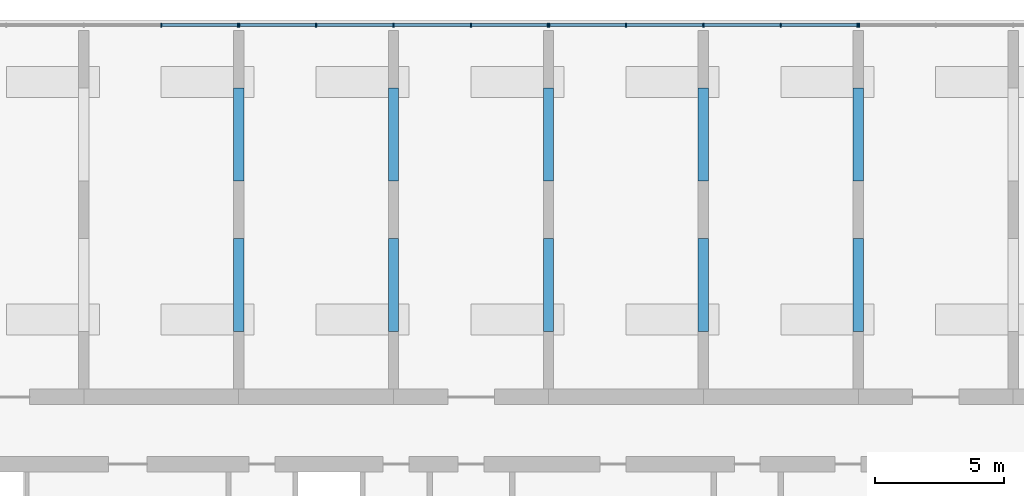
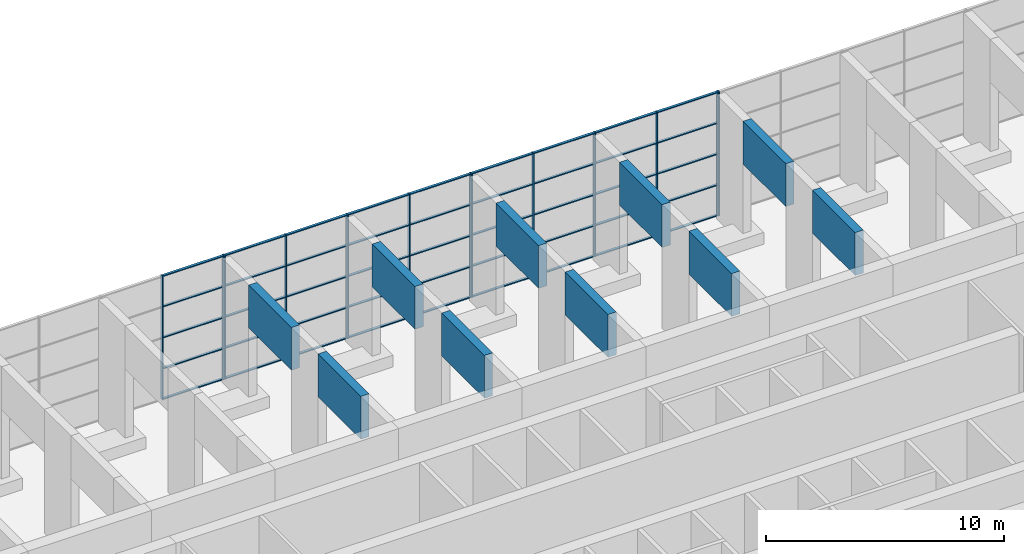
# One storey, part 2 of 15: 58 members, 10 beams, 4 elements without a shape of their own.
"""IFC4 building model written with IfcOpenShell, lengths in metres."""

import ifcopenshell
import ifcopenshell.guid

model = None  # the IFC model being written
_history = None  # IfcOwnerHistory: only IFC2X3 demands one
_inside = {}  # id of a spatial element -> (the spatial element, [elements in it])
_under = {}  # id of a project, library or spatial element -> (it, [spatial elements below it])
_declared = {}  # id of a project -> (the project, [libraries it declares])
_typed = {}  # id of a type object -> (the type object, [elements of that type])
_made_of = {}  # id of a material, layer set ... -> (it, [elements and type objects made of it])


def new_model(schema):
    """Start an empty IFC model of exactly this schema.

    Asked for "IFC4X3", IfcOpenShell would pick the latest addendum, in which some entities
    have other attributes; the version numbers below select the first issue.
    IFC2X3 requires an IfcOwnerHistory on every rooted entity: one is made here for all.
    """
    global model, _history
    if schema == "IFC4X3":
        model = ifcopenshell.file(schema_version=(4, 3, 0, 0))
    else:
        model = ifcopenshell.file(schema=schema)
    _inside.clear()
    _under.clear()
    _declared.clear()
    _typed.clear()
    _made_of.clear()
    _history = None
    if model.schema == "IFC2X3":
        org = make("IfcOrganization", Name="unknown")
        user = make(
            "IfcPersonAndOrganization",
            ThePerson=make("IfcPerson", FamilyName="unknown"),
            TheOrganization=org,
        )
        app = make(
            "IfcApplication",
            ApplicationDeveloper=org,
            Version="unknown",
            ApplicationFullName="unknown",
            ApplicationIdentifier="unknown",
        )
        _history = make(
            "IfcOwnerHistory",
            OwningUser=user,
            OwningApplication=app,
            ChangeAction="ADDED",
            CreationDate=0,
        )
    return model


def make(cls, **values):
    """One entity of the class cls with the attributes given. An attribute that is None is left unset."""
    return model.create_entity(
        cls, **{name: value for name, value in values.items() if value is not None}
    )


def rooted(cls, **values):
    """An entity with a GlobalId (a new one), such as an element, a storey or a relation."""
    return make(cls, GlobalId=ifcopenshell.guid.new(), OwnerHistory=_history, **values)


def si_unit(unit_type, name, prefix=None):
    """IfcSIUnit, for example si_unit("LENGTHUNIT", "METRE", prefix="MILLI")."""
    return make("IfcSIUnit", UnitType=unit_type, Prefix=prefix, Name=name)


def assignment(units):
    """IfcUnitAssignment: the units of a project."""
    return None if units is None else make("IfcUnitAssignment", Units=units)


def point(xyz):
    """IfcCartesianPoint."""
    return None if xyz is None else make("IfcCartesianPoint", Coordinates=xyz)


def direction(xyz):
    """IfcDirection."""
    return None if xyz is None else make("IfcDirection", DirectionRatios=xyz)


def frame(location, z_axis=None, x_axis=None):
    """IfcAxis2Placement3D, a coordinate frame: its origin and axes. An axis left out is left unset."""
    return make(
        "IfcAxis2Placement3D",
        Location=point(location),
        Axis=direction(z_axis),
        RefDirection=direction(x_axis),
    )


def frame_2d(location, x_axis=None):
    """IfcAxis2Placement2D, a coordinate frame in the plane: its origin and x axis."""
    return make(
        "IfcAxis2Placement2D", Location=point(location), RefDirection=direction(x_axis)
    )


def origin():
    """The frame at (0, 0, 0) with its axes left unset."""
    return frame((0.0, 0.0, 0.0))


def origin_2d():
    """The frame at (0, 0) in the plane with its x axis left unset."""
    return frame_2d((0.0, 0.0))


def place(relative_to, where):
    """IfcLocalPlacement: puts the frame where relative to a parent placement (None: the world)."""
    return make(
        "IfcLocalPlacement", PlacementRelTo=relative_to, RelativePlacement=where
    )


def context(
    kind, dimensions, precision=None, world=None, true_north=None, identifier=None
):
    """IfcGeometricRepresentationContext, for example the 3D "Model" context."""
    return make(
        "IfcGeometricRepresentationContext",
        ContextIdentifier=identifier,
        ContextType=kind,
        CoordinateSpaceDimension=dimensions,
        Precision=precision,
        WorldCoordinateSystem=world,
        TrueNorth=true_north,
    )


def subcontext(parent, identifier, kind, view, scale=None):
    """IfcGeometricRepresentationSubContext, for example "Body" below "Model"."""
    return make(
        "IfcGeometricRepresentationSubContext",
        ContextIdentifier=identifier,
        ContextType=kind,
        ParentContext=parent,
        TargetScale=scale,
        TargetView=view,
    )


def project(units=None, contexts=None):
    """IfcProject with its units and contexts."""
    return rooted(
        "IfcProject",
        Name="project",
        RepresentationContexts=contexts,
        UnitsInContext=assignment(units),
    )


def spatial(cls, under=None, at=None, **own):
    """A site, building, storey or space (cls), placed at a placement, below another one or the project."""
    s = rooted(cls, ObjectPlacement=at, **own)
    if under is not None:
        _under.setdefault(under.id(), (under, []))[1].append(s)
    return s


def profile(cls, at=None, kind="AREA", **sizes):
    """A parametric profile (cls). Its sizes go by their IFC names, for example OverallWidth=200.0."""
    return make(cls, ProfileType=kind, Position=at, **sizes)


def rectangle(**sizes):
    """IfcRectangleProfileDef."""
    return profile("IfcRectangleProfileDef", **sizes)


def extrude(swept, where, along, depth):
    """IfcExtrudedAreaSolid: the profile swept, set in the frame where, extruded along a direction by depth."""
    return make(
        "IfcExtrudedAreaSolid",
        SweptArea=swept,
        Position=where,
        ExtrudedDirection=direction(along),
        Depth=depth,
    )


def shape(context_of_items, identifier, shape_type, items):
    """IfcShapeRepresentation: the items that make up one representation, for example the "Body"."""
    return make(
        "IfcShapeRepresentation",
        ContextOfItems=context_of_items,
        RepresentationIdentifier=identifier,
        RepresentationType=shape_type,
        Items=items,
    )


def source(mapping_origin, context_of_items, identifier, shape_type, items):
    """IfcRepresentationMap: a shape defined once, which mapped items show again and again."""
    return make(
        "IfcRepresentationMap",
        MappingOrigin=mapping_origin,
        MappedRepresentation=shape(context_of_items, identifier, shape_type, items),
    )


def transform(
    local_origin,
    x_axis=None,
    y_axis=None,
    z_axis=None,
    scale=None,
    scale2=None,
    scale3=None,
    uniform=True,
):
    """IfcCartesianTransformationOperator3D, or its non-uniform kind. x_axis, y_axis, z_axis: its Axis1, 2, 3."""
    if uniform:
        return make(
            "IfcCartesianTransformationOperator3D",
            Axis1=direction(x_axis),
            Axis2=direction(y_axis),
            LocalOrigin=point(local_origin),
            Scale=scale,
            Axis3=direction(z_axis),
        )
    return make(
        "IfcCartesianTransformationOperator3DnonUniform",
        Axis1=direction(x_axis),
        Axis2=direction(y_axis),
        LocalOrigin=point(local_origin),
        Scale=scale,
        Axis3=direction(z_axis),
        Scale2=scale2,
        Scale3=scale3,
    )


def mapped(mapping_source, mapping_target):
    """IfcMappedItem: shows the shape of a source again, moved by a transform."""
    return make(
        "IfcMappedItem", MappingSource=mapping_source, MappingTarget=mapping_target
    )


def material(Name=None, Category=None):
    """IfcMaterial."""
    return make("IfcMaterial", Name=Name, Category=Category)


def layer(
    of_material, thickness, ventilated=None, Name=None, Category=None, Priority=None
):
    """IfcMaterialLayer: one layer of a wall or slab, of a material (None: an air gap)."""
    return make(
        "IfcMaterialLayer",
        Material=of_material,
        LayerThickness=thickness,
        IsVentilated=ventilated,
        Name=Name,
        Category=Category,
        Priority=Priority,
    )


def layer_set(layers, Name=None):
    """IfcMaterialLayerSet."""
    return make("IfcMaterialLayerSet", MaterialLayers=layers, LayerSetName=Name)


def material_profile(
    of_material, cross_section, Name=None, Category=None, Priority=None
):
    """IfcMaterialProfile: a cross section and its material."""
    return make(
        "IfcMaterialProfile",
        Name=Name,
        Material=of_material,
        Profile=cross_section,
        Priority=Priority,
        Category=Category,
    )


def profile_set(profiles, Name=None, composite=None):
    """IfcMaterialProfileSet."""
    return make(
        "IfcMaterialProfileSet",
        Name=Name,
        MaterialProfiles=profiles,
        CompositeProfile=composite,
    )


def made_of(thing, what):
    """Note that an element or type object is made of a material, layer set ...; save() writes the relation."""
    if what is not None:
        _made_of.setdefault(what.id(), (what, []))[1].append(thing)
    return thing


def type_object(cls, material=None, **own):
    """A type object (cls), such as IfcWallType, which elements share."""
    return made_of(rooted(cls, **own), material)


def element(
    cls,
    number,
    at=None,
    inside=None,
    cuts=None,
    type_object=None,
    material=None,
    context=None,
    identifier="Body",
    shape_type=None,
    held_by="IfcProductDefinitionShape",
    body=None,
    shapes=None,
    **own,
):
    """One element of the class cls, such as IfcWall. Its Tag is "e" and its number.

    at: its placement. inside: the storey or other place that contains it. cuts: it is an
    opening in that element (IfcRelVoidsElement). A single representation is given by context,
    identifier, shape_type and body (its items); several are given by shapes. held_by: the class
    of the entity that holds the representations. save() writes the other relations.
    """
    e = rooted(cls, Tag="e%d" % number, ObjectPlacement=at, **own)
    if body is not None:
        shapes = [shape(context, identifier, shape_type, body)]
    if shapes is not None:
        e.Representation = make(held_by, Representations=shapes)
    if inside is not None:
        _inside.setdefault(inside.id(), (inside, []))[1].append(e)
    if cuts is not None:
        rooted(
            "IfcRelVoidsElement", RelatingBuildingElement=cuts, RelatedOpeningElement=e
        )
    if type_object is not None:
        _typed.setdefault(type_object.id(), (type_object, []))[1].append(e)
    return made_of(e, material)


def aggregate(whole, parts):
    """IfcRelAggregates: a whole, such as a stair, and the parts it consists of."""
    return rooted("IfcRelAggregates", RelatingObject=whole, RelatedObjects=parts)


def save(model, path):
    """Write the relations noted so far, then the file.

    IfcRelAggregates (storeys below a building ...), IfcRelContainedInSpatialStructure (elements
    in a storey), IfcRelDefinesByType, IfcRelAssociatesMaterial and IfcRelDeclares: one each for
    every whole, place, type object, material and project.
    """
    for whole, parts in _under.values():
        aggregate(whole, parts)
    for where, things in _inside.values():
        rooted(
            "IfcRelContainedInSpatialStructure",
            RelatedElements=things,
            RelatingStructure=where,
        )
    for kind, things in _typed.values():
        rooted("IfcRelDefinesByType", RelatedObjects=things, RelatingType=kind)
    for what, things in _made_of.values():
        rooted("IfcRelAssociatesMaterial", RelatedObjects=things, RelatingMaterial=what)
    for by, libraries in _declared.values():
        rooted("IfcRelDeclares", RelatingContext=by, RelatedDefinitions=libraries)
    model.write(path)


model = new_model("IFC4")

# Units and contexts
model_context = context("Model", 3, precision=1e-05, world=origin(), true_north=direction((0.0, 1.0)))
body_context = subcontext(model_context, "Body", "Model", "MODEL_VIEW")
ifc_project = project(units=[si_unit("LENGTHUNIT", "METRE"), si_unit("AREAUNIT", "SQUARE_METRE"), si_unit("VOLUMEUNIT", "CUBIC_METRE"), si_unit("PLANEANGLEUNIT", "RADIAN"), si_unit("MASSUNIT", "GRAM", prefix="KILO")], contexts=[model_context])

# Site, building, storey
site_placement = place(None, origin())
site = spatial("IfcSite", under=ifc_project, at=site_placement, CompositionType="ELEMENT")
building_placement = place(site_placement, origin())
building = spatial("IfcBuilding", under=site, at=building_placement, Name="Poui Terraces", CompositionType="ELEMENT")
storey_placement = place(building_placement, frame((0.0, 0.0, 66.300048828125)))
storey = spatial("IfcBuildingStorey", under=building, at=storey_placement, Name="L18", CompositionType="ELEMENT", Elevation=66.300048828125)

# Curtain wall, members
ifc_material_1 = material(Name="Clear glass", Category="glass")
ifc_layer = layer(ifc_material_1, 0.159912109375)
ifc_layer_set = layer_set([ifc_layer], Name="Clear glass")
curtain_wall_type = type_object("IfcCurtainWallType", Name="CURTAIN WALL CW-D SKY GARDEN GLAZING", PredefinedType="NOTDEFINED", material=ifc_layer_set)
curtain_wall_1_placement = place(storey_placement, origin())
curtain_wall_1 = element("IfcCurtainWall", 1, at=curtain_wall_1_placement, inside=storey, type_object=curtain_wall_type, Name="CW-D SKY GARDEN GLAZING", PredefinedType="NOTDEFINED")
ifc_material_2 = material(Name="Aluminium frame", Category="aluminium")
ifc_material_profile_1 = material_profile(ifc_material_2, rectangle(XDim=0.159912109375, YDim=0.050048828125, at=origin_2d()), Name="CW-D MULLION 50X160")
ifc_profile_set_1 = profile_set([ifc_material_profile_1], Name="Aluminium frame")
member_type_1 = type_object("IfcMemberType", Name="CW-D MULLION 50X160", PredefinedType="MULLION", material=ifc_profile_set_1)
member_1_placement = place(storey_placement, frame((41.97509765625, 44.800048828125, 0.0), z_axis=(0.0, 0.0, 1.0), x_axis=(0.0, -1.0, 0.0)))
member_1 = element("IfcMember", 2, at=member_1_placement, type_object=member_type_1, Name="CW-D mullion 1", PredefinedType="MULLION", context=body_context, shape_type="SweptSolid", body=[
    extrude(rectangle(XDim=0.159912109375, YDim=0.050048828125, at=origin_2d()), origin(), (0.0, 0.0, 1.0), 6.35986328125),
])
member_2_placement = place(storey_placement, frame((39.0, 44.800048828125, 0.0), z_axis=(0.0, 0.0, 1.0), x_axis=(0.0, -1.0, 0.0)))
member_2 = element("IfcMember", 3, at=member_2_placement, type_object=member_type_1, Name="CW-D mullion 2", PredefinedType="MULLION", context=body_context, shape_type="SweptSolid", body=[
    extrude(rectangle(XDim=0.159912109375, YDim=0.050048828125, at=origin_2d()), origin(), (0.0, 0.0, 1.0), 6.35986328125),
])

curtain_wall_2_placement = place(storey_placement, origin())
curtain_wall_2 = element("IfcCurtainWall", 4, at=curtain_wall_2_placement, inside=storey, type_object=curtain_wall_type, Name="CW-D SKY GARDEN GLAZING", PredefinedType="NOTDEFINED")
member_3_placement = place(storey_placement, frame((53.97509765625, 44.800048828125, 0.0), z_axis=(0.0, 0.0, 1.0), x_axis=(0.0, -1.0, 0.0)))
member_3 = element("IfcMember", 5, at=member_3_placement, type_object=member_type_1, Name="CW-D mullion 1", PredefinedType="MULLION", context=body_context, shape_type="SweptSolid", body=[
    extrude(rectangle(XDim=0.159912109375, YDim=0.050048828125, at=origin_2d()), origin(), (0.0, 0.0, 1.0), 6.35986328125),
])
member_4_placement = place(storey_placement, frame((51.0, 44.800048828125, 0.0), z_axis=(0.0, 0.0, 1.0), x_axis=(0.0, -1.0, 0.0)))
member_4 = element("IfcMember", 6, at=member_4_placement, type_object=member_type_1, Name="CW-D mullion 2", PredefinedType="MULLION", context=body_context, shape_type="SweptSolid", body=[
    extrude(rectangle(XDim=0.159912109375, YDim=0.050048828125, at=origin_2d()), origin(), (0.0, 0.0, 1.0), 6.35986328125),
])
member_5_placement = place(storey_placement, frame((48.0, 44.800048828125, 0.0), z_axis=(0.0, 0.0, 1.0), x_axis=(0.0, -1.0, 0.0)))
member_5 = element("IfcMember", 7, at=member_5_placement, type_object=member_type_1, Name="CW-D mullion 3", PredefinedType="MULLION", context=body_context, shape_type="SweptSolid", body=[
    extrude(rectangle(XDim=0.159912109375, YDim=0.050048828125, at=origin_2d()), origin(), (0.0, 0.0, 1.0), 6.35986328125),
])
member_6_placement = place(storey_placement, frame((45.0, 44.800048828125, 0.0), z_axis=(0.0, 0.0, 1.0), x_axis=(0.0, -1.0, 0.0)))
member_6 = element("IfcMember", 8, at=member_6_placement, type_object=member_type_1, Name="CW-D mullion 4", PredefinedType="MULLION", context=body_context, shape_type="SweptSolid", body=[
    extrude(rectangle(XDim=0.159912109375, YDim=0.050048828125, at=origin_2d()), origin(), (0.0, 0.0, 1.0), 6.35986328125),
])
member_7_placement = place(storey_placement, frame((42.02490234375, 44.800048828125, 0.0), z_axis=(0.0, 0.0, 1.0), x_axis=(0.0, -1.0, 0.0)))
member_7 = element("IfcMember", 9, at=member_7_placement, type_object=member_type_1, Name="CW-D mullion 5", PredefinedType="MULLION", context=body_context, shape_type="SweptSolid", body=[
    extrude(rectangle(XDim=0.159912109375, YDim=0.050048828125, at=origin_2d()), origin(), (0.0, 0.0, 1.0), 6.35986328125),
])

curtain_wall_3_placement = place(storey_placement, origin())
curtain_wall_3 = element("IfcCurtainWall", 10, at=curtain_wall_3_placement, inside=storey, type_object=curtain_wall_type, Name="CW-D SKY GARDEN GLAZING", PredefinedType="NOTDEFINED")
member_8_placement = place(storey_placement, frame((65.97509765625, 44.800048828125, 0.0), z_axis=(0.0, 0.0, 1.0), x_axis=(0.0, -1.0, 0.0)))
member_8 = element("IfcMember", 11, at=member_8_placement, type_object=member_type_1, Name="CW-D mullion 1", PredefinedType="MULLION", context=body_context, shape_type="SweptSolid", body=[
    extrude(rectangle(XDim=0.159912109375, YDim=0.050048828125, at=origin_2d()), origin(), (0.0, 0.0, 1.0), 6.35986328125),
])
member_9_placement = place(storey_placement, frame((63.0, 44.800048828125, 0.0), z_axis=(0.0, 0.0, 1.0), x_axis=(0.0, -1.0, 0.0)))
member_9 = element("IfcMember", 12, at=member_9_placement, type_object=member_type_1, Name="CW-D mullion 2", PredefinedType="MULLION", context=body_context, shape_type="SweptSolid", body=[
    extrude(rectangle(XDim=0.159912109375, YDim=0.050048828125, at=origin_2d()), origin(), (0.0, 0.0, 1.0), 6.35986328125),
])
member_10_placement = place(storey_placement, frame((60.0, 44.800048828125, 0.0), z_axis=(0.0, 0.0, 1.0), x_axis=(0.0, -1.0, 0.0)))
member_10 = element("IfcMember", 13, at=member_10_placement, type_object=member_type_1, Name="CW-D mullion 3", PredefinedType="MULLION", context=body_context, shape_type="SweptSolid", body=[
    extrude(rectangle(XDim=0.159912109375, YDim=0.050048828125, at=origin_2d()), origin(), (0.0, 0.0, 1.0), 6.35986328125),
])
member_11_placement = place(storey_placement, frame((57.0, 44.800048828125, 0.0), z_axis=(0.0, 0.0, 1.0), x_axis=(0.0, -1.0, 0.0)))
member_11 = element("IfcMember", 14, at=member_11_placement, type_object=member_type_1, Name="CW-D mullion 4", PredefinedType="MULLION", context=body_context, shape_type="SweptSolid", body=[
    extrude(rectangle(XDim=0.159912109375, YDim=0.050048828125, at=origin_2d()), origin(), (0.0, 0.0, 1.0), 6.35986328125),
])
member_12_placement = place(storey_placement, frame((54.02490234375, 44.800048828125, 0.0), z_axis=(0.0, 0.0, 1.0), x_axis=(0.0, -1.0, 0.0)))
member_12 = element("IfcMember", 15, at=member_12_placement, type_object=member_type_1, Name="CW-D mullion 5", PredefinedType="MULLION", context=body_context, shape_type="SweptSolid", body=[
    extrude(rectangle(XDim=0.159912109375, YDim=0.050048828125, at=origin_2d()), origin(), (0.0, 0.0, 1.0), 6.35986328125),
])

# Curtain wall, member
curtain_wall_4_placement = place(storey_placement, origin())
curtain_wall_4 = element("IfcCurtainWall", 16, at=curtain_wall_4_placement, inside=storey, type_object=curtain_wall_type, Name="CW-D SKY GARDEN GLAZING", PredefinedType="NOTDEFINED")
member_13_placement = place(storey_placement, frame((66.02490234375, 44.800048828125, 0.0), z_axis=(0.0, 0.0, 1.0), x_axis=(0.0, -1.0, 0.0)))
member_13 = element("IfcMember", 17, at=member_13_placement, type_object=member_type_1, Name="CW-D mullion 5", PredefinedType="MULLION", context=body_context, shape_type="SweptSolid", body=[
    extrude(rectangle(XDim=0.159912109375, YDim=0.050048828125, at=origin_2d()), origin(), (0.0, 0.0, 1.0), 6.35986328125),
])
aggregate(curtain_wall_4, [member_13])

# Member
ifc_material_profile_2 = material_profile(ifc_material_2, rectangle(XDim=0.1201171875, YDim=0.050048828125, at=origin_2d()), Name="CW-D TRANSOM 50X120")
ifc_profile_set_2 = profile_set([ifc_material_profile_2], Name="Aluminium frame")
member_type_2 = type_object("IfcMemberType", Name="CW-D TRANSOM 50X120", PredefinedType="USERDEFINED", material=ifc_profile_set_2)
member_14_placement = place(storey_placement, frame((41.949951171875, 44.800048828125, 0.02490234375), z_axis=(-1.0, 0.0, 0.0), x_axis=(0.0, -1.0, 0.0)))
member_14 = element("IfcMember", 18, at=member_14_placement, type_object=member_type_2, Name="CW-D transom 1.1", ObjectType="TRANSOM", PredefinedType="USERDEFINED", context=body_context, shape_type="SweptSolid", body=[
    extrude(rectangle(XDim=0.1201171875, YDim=0.050048828125, at=origin_2d()), origin(), (0.0, 0.0, 1.0), 2.925048828125),
])

member_15_placement = place(storey_placement, frame((41.949951171875, 44.800048828125, 1.58984375), z_axis=(-1.0, 0.0, 0.0), x_axis=(0.0, -1.0, 0.0)))
member_15 = element("IfcMember", 19, at=member_15_placement, type_object=member_type_2, Name="CW-D transom 1.2", ObjectType="TRANSOM", PredefinedType="USERDEFINED", context=body_context, shape_type="SweptSolid", body=[
    extrude(rectangle(XDim=0.1201171875, YDim=0.050048828125, at=origin_2d()), origin(), (0.0, 0.0, 1.0), 2.925048828125),
])

member_16_placement = place(storey_placement, frame((41.949951171875, 44.800048828125, 3.179931640625), z_axis=(-1.0, 0.0, 0.0), x_axis=(0.0, -1.0, 0.0)))
member_16 = element("IfcMember", 20, at=member_16_placement, type_object=member_type_2, Name="CW-D transom 1.3", ObjectType="TRANSOM", PredefinedType="USERDEFINED", context=body_context, shape_type="SweptSolid", body=[
    extrude(rectangle(XDim=0.1201171875, YDim=0.050048828125, at=origin_2d()), origin(), (0.0, 0.0, 1.0), 2.925048828125),
])

member_17_placement = place(storey_placement, frame((41.949951171875, 44.800048828125, 4.77001953125), z_axis=(-1.0, 0.0, 0.0), x_axis=(0.0, -1.0, 0.0)))
member_17 = element("IfcMember", 21, at=member_17_placement, type_object=member_type_2, Name="CW-D transom 1.4", ObjectType="TRANSOM", PredefinedType="USERDEFINED", context=body_context, shape_type="SweptSolid", body=[
    extrude(rectangle(XDim=0.1201171875, YDim=0.050048828125, at=origin_2d()), origin(), (0.0, 0.0, 1.0), 2.925048828125),
])

member_18_placement = place(storey_placement, frame((41.949951171875, 44.800048828125, 6.3349609375), z_axis=(-1.0, 0.0, 0.0), x_axis=(0.0, -1.0, 0.0)))
member_18 = element("IfcMember", 22, at=member_18_placement, type_object=member_type_2, Name="CW-D transom 1.5", ObjectType="TRANSOM", PredefinedType="USERDEFINED", context=body_context, shape_type="SweptSolid", body=[
    extrude(rectangle(XDim=0.1201171875, YDim=0.050048828125, at=origin_2d()), origin(), (0.0, 0.0, 1.0), 2.925048828125),
])

aggregate(curtain_wall_1, [member_1, member_2, member_14, member_15, member_16, member_17, member_18])

member_19_placement = place(storey_placement, frame((53.949951171875, 44.800048828125, 0.02490234375), z_axis=(-1.0, 0.0, 0.0), x_axis=(0.0, -1.0, 0.0)))
member_19 = element("IfcMember", 23, at=member_19_placement, type_object=member_type_2, Name="CW-D transom 1.1", ObjectType="TRANSOM", PredefinedType="USERDEFINED", context=body_context, shape_type="SweptSolid", body=[
    extrude(rectangle(XDim=0.1201171875, YDim=0.050048828125, at=origin_2d()), origin(), (0.0, 0.0, 1.0), 2.925048828125),
])

member_20_placement = place(storey_placement, frame((53.949951171875, 44.800048828125, 1.58984375), z_axis=(-1.0, 0.0, 0.0), x_axis=(0.0, -1.0, 0.0)))
member_20 = element("IfcMember", 24, at=member_20_placement, type_object=member_type_2, Name="CW-D transom 1.2", ObjectType="TRANSOM", PredefinedType="USERDEFINED", context=body_context, shape_type="SweptSolid", body=[
    extrude(rectangle(XDim=0.1201171875, YDim=0.050048828125, at=origin_2d()), origin(), (0.0, 0.0, 1.0), 2.925048828125),
])

member_21_placement = place(storey_placement, frame((53.949951171875, 44.800048828125, 3.179931640625), z_axis=(-1.0, 0.0, 0.0), x_axis=(0.0, -1.0, 0.0)))
member_21 = element("IfcMember", 25, at=member_21_placement, type_object=member_type_2, Name="CW-D transom 1.3", ObjectType="TRANSOM", PredefinedType="USERDEFINED", context=body_context, shape_type="SweptSolid", body=[
    extrude(rectangle(XDim=0.1201171875, YDim=0.050048828125, at=origin_2d()), origin(), (0.0, 0.0, 1.0), 2.925048828125),
])

member_22_placement = place(storey_placement, frame((53.949951171875, 44.800048828125, 4.77001953125), z_axis=(-1.0, 0.0, 0.0), x_axis=(0.0, -1.0, 0.0)))
member_22 = element("IfcMember", 26, at=member_22_placement, type_object=member_type_2, Name="CW-D transom 1.4", ObjectType="TRANSOM", PredefinedType="USERDEFINED", context=body_context, shape_type="SweptSolid", body=[
    extrude(rectangle(XDim=0.1201171875, YDim=0.050048828125, at=origin_2d()), origin(), (0.0, 0.0, 1.0), 2.925048828125),
])

member_23_placement = place(storey_placement, frame((53.949951171875, 44.800048828125, 6.3349609375), z_axis=(-1.0, 0.0, 0.0), x_axis=(0.0, -1.0, 0.0)))
member_23 = element("IfcMember", 27, at=member_23_placement, type_object=member_type_2, Name="CW-D transom 1.5", ObjectType="TRANSOM", PredefinedType="USERDEFINED", context=body_context, shape_type="SweptSolid", body=[
    extrude(rectangle(XDim=0.1201171875, YDim=0.050048828125, at=origin_2d()), origin(), (0.0, 0.0, 1.0), 2.925048828125),
])

member_24_placement = place(storey_placement, frame((50.97509765625, 44.800048828125, 0.02490234375), z_axis=(-1.0, 0.0, 0.0), x_axis=(0.0, -1.0, 0.0)))
member_24 = element("IfcMember", 28, at=member_24_placement, type_object=member_type_2, Name="CW-D transom 2.1", ObjectType="TRANSOM", PredefinedType="USERDEFINED", context=body_context, shape_type="SweptSolid", body=[
    extrude(rectangle(XDim=0.1201171875, YDim=0.050048828125, at=origin_2d()), origin(), (0.0, 0.0, 1.0), 2.9501953125),
])

member_25_placement = place(storey_placement, frame((50.97509765625, 44.800048828125, 1.58984375), z_axis=(-1.0, 0.0, 0.0), x_axis=(0.0, -1.0, 0.0)))
member_25 = element("IfcMember", 29, at=member_25_placement, type_object=member_type_2, Name="CW-D transom 2.2", ObjectType="TRANSOM", PredefinedType="USERDEFINED", context=body_context, shape_type="SweptSolid", body=[
    extrude(rectangle(XDim=0.1201171875, YDim=0.050048828125, at=origin_2d()), origin(), (0.0, 0.0, 1.0), 2.9501953125),
])

member_26_placement = place(storey_placement, frame((50.97509765625, 44.800048828125, 3.179931640625), z_axis=(-1.0, 0.0, 0.0), x_axis=(0.0, -1.0, 0.0)))
member_26 = element("IfcMember", 30, at=member_26_placement, type_object=member_type_2, Name="CW-D transom 2.3", ObjectType="TRANSOM", PredefinedType="USERDEFINED", context=body_context, shape_type="SweptSolid", body=[
    extrude(rectangle(XDim=0.1201171875, YDim=0.050048828125, at=origin_2d()), origin(), (0.0, 0.0, 1.0), 2.9501953125),
])

member_27_placement = place(storey_placement, frame((50.97509765625, 44.800048828125, 4.77001953125), z_axis=(-1.0, 0.0, 0.0), x_axis=(0.0, -1.0, 0.0)))
member_27 = element("IfcMember", 31, at=member_27_placement, type_object=member_type_2, Name="CW-D transom 2.4", ObjectType="TRANSOM", PredefinedType="USERDEFINED", context=body_context, shape_type="SweptSolid", body=[
    extrude(rectangle(XDim=0.1201171875, YDim=0.050048828125, at=origin_2d()), origin(), (0.0, 0.0, 1.0), 2.9501953125),
])

member_28_placement = place(storey_placement, frame((50.97509765625, 44.800048828125, 6.3349609375), z_axis=(-1.0, 0.0, 0.0), x_axis=(0.0, -1.0, 0.0)))
member_28 = element("IfcMember", 32, at=member_28_placement, type_object=member_type_2, Name="CW-D transom 2.5", ObjectType="TRANSOM", PredefinedType="USERDEFINED", context=body_context, shape_type="SweptSolid", body=[
    extrude(rectangle(XDim=0.1201171875, YDim=0.050048828125, at=origin_2d()), origin(), (0.0, 0.0, 1.0), 2.9501953125),
])

member_29_placement = place(storey_placement, frame((47.97509765625, 44.800048828125, 0.02490234375), z_axis=(-1.0, 0.0, 0.0), x_axis=(0.0, -1.0, 0.0)))
member_29 = element("IfcMember", 33, at=member_29_placement, type_object=member_type_2, Name="CW-D transom 3.1", ObjectType="TRANSOM", PredefinedType="USERDEFINED", context=body_context, shape_type="SweptSolid", body=[
    extrude(rectangle(XDim=0.1201171875, YDim=0.050048828125, at=origin_2d()), origin(), (0.0, 0.0, 1.0), 2.9501953125),
])

member_30_placement = place(storey_placement, frame((47.97509765625, 44.800048828125, 1.58984375), z_axis=(-1.0, 0.0, 0.0), x_axis=(0.0, -1.0, 0.0)))
member_30 = element("IfcMember", 34, at=member_30_placement, type_object=member_type_2, Name="CW-D transom 3.2", ObjectType="TRANSOM", PredefinedType="USERDEFINED", context=body_context, shape_type="SweptSolid", body=[
    extrude(rectangle(XDim=0.1201171875, YDim=0.050048828125, at=origin_2d()), origin(), (0.0, 0.0, 1.0), 2.9501953125),
])

member_31_placement = place(storey_placement, frame((47.97509765625, 44.800048828125, 3.179931640625), z_axis=(-1.0, 0.0, 0.0), x_axis=(0.0, -1.0, 0.0)))
member_31 = element("IfcMember", 35, at=member_31_placement, type_object=member_type_2, Name="CW-D transom 3.3", ObjectType="TRANSOM", PredefinedType="USERDEFINED", context=body_context, shape_type="SweptSolid", body=[
    extrude(rectangle(XDim=0.1201171875, YDim=0.050048828125, at=origin_2d()), origin(), (0.0, 0.0, 1.0), 2.9501953125),
])

member_32_placement = place(storey_placement, frame((47.97509765625, 44.800048828125, 4.77001953125), z_axis=(-1.0, 0.0, 0.0), x_axis=(0.0, -1.0, 0.0)))
member_32 = element("IfcMember", 36, at=member_32_placement, type_object=member_type_2, Name="CW-D transom 3.4", ObjectType="TRANSOM", PredefinedType="USERDEFINED", context=body_context, shape_type="SweptSolid", body=[
    extrude(rectangle(XDim=0.1201171875, YDim=0.050048828125, at=origin_2d()), origin(), (0.0, 0.0, 1.0), 2.9501953125),
])

member_33_placement = place(storey_placement, frame((47.97509765625, 44.800048828125, 6.3349609375), z_axis=(-1.0, 0.0, 0.0), x_axis=(0.0, -1.0, 0.0)))
member_33 = element("IfcMember", 37, at=member_33_placement, type_object=member_type_2, Name="CW-D transom 3.5", ObjectType="TRANSOM", PredefinedType="USERDEFINED", context=body_context, shape_type="SweptSolid", body=[
    extrude(rectangle(XDim=0.1201171875, YDim=0.050048828125, at=origin_2d()), origin(), (0.0, 0.0, 1.0), 2.9501953125),
])

member_34_placement = place(storey_placement, frame((44.97509765625, 44.800048828125, 0.02490234375), z_axis=(-1.0, 0.0, 0.0), x_axis=(0.0, -1.0, 0.0)))
member_34 = element("IfcMember", 38, at=member_34_placement, type_object=member_type_2, Name="CW-D transom 4.1", ObjectType="TRANSOM", PredefinedType="USERDEFINED", context=body_context, shape_type="SweptSolid", body=[
    extrude(rectangle(XDim=0.1201171875, YDim=0.050048828125, at=origin_2d()), origin(), (0.0, 0.0, 1.0), 2.925048828125),
])

member_35_placement = place(storey_placement, frame((44.97509765625, 44.800048828125, 1.58984375), z_axis=(-1.0, 0.0, 0.0), x_axis=(0.0, -1.0, 0.0)))
member_35 = element("IfcMember", 39, at=member_35_placement, type_object=member_type_2, Name="CW-D transom 4.2", ObjectType="TRANSOM", PredefinedType="USERDEFINED", context=body_context, shape_type="SweptSolid", body=[
    extrude(rectangle(XDim=0.1201171875, YDim=0.050048828125, at=origin_2d()), origin(), (0.0, 0.0, 1.0), 2.925048828125),
])

member_36_placement = place(storey_placement, frame((44.97509765625, 44.800048828125, 3.179931640625), z_axis=(-1.0, 0.0, 0.0), x_axis=(0.0, -1.0, 0.0)))
member_36 = element("IfcMember", 40, at=member_36_placement, type_object=member_type_2, Name="CW-D transom 4.3", ObjectType="TRANSOM", PredefinedType="USERDEFINED", context=body_context, shape_type="SweptSolid", body=[
    extrude(rectangle(XDim=0.1201171875, YDim=0.050048828125, at=origin_2d()), origin(), (0.0, 0.0, 1.0), 2.925048828125),
])

member_37_placement = place(storey_placement, frame((44.97509765625, 44.800048828125, 4.77001953125), z_axis=(-1.0, 0.0, 0.0), x_axis=(0.0, -1.0, 0.0)))
member_37 = element("IfcMember", 41, at=member_37_placement, type_object=member_type_2, Name="CW-D transom 4.4", ObjectType="TRANSOM", PredefinedType="USERDEFINED", context=body_context, shape_type="SweptSolid", body=[
    extrude(rectangle(XDim=0.1201171875, YDim=0.050048828125, at=origin_2d()), origin(), (0.0, 0.0, 1.0), 2.925048828125),
])

member_38_placement = place(storey_placement, frame((44.97509765625, 44.800048828125, 6.3349609375), z_axis=(-1.0, 0.0, 0.0), x_axis=(0.0, -1.0, 0.0)))
member_38 = element("IfcMember", 42, at=member_38_placement, type_object=member_type_2, Name="CW-D transom 4.5", ObjectType="TRANSOM", PredefinedType="USERDEFINED", context=body_context, shape_type="SweptSolid", body=[
    extrude(rectangle(XDim=0.1201171875, YDim=0.050048828125, at=origin_2d()), origin(), (0.0, 0.0, 1.0), 2.925048828125),
])

aggregate(curtain_wall_2, [member_3, member_4, member_5, member_6, member_7, member_19, member_20, member_21, member_22, member_23, member_24, member_25, member_26, member_27, member_28, member_29, member_30, member_31, member_32, member_33, member_34, member_35, member_36, member_37, member_38])

member_39_placement = place(storey_placement, frame((65.949951171875, 44.800048828125, 0.02490234375), z_axis=(-1.0, 0.0, 0.0), x_axis=(0.0, -1.0, 0.0)))
member_39 = element("IfcMember", 43, at=member_39_placement, type_object=member_type_2, Name="CW-D transom 1.1", ObjectType="TRANSOM", PredefinedType="USERDEFINED", context=body_context, shape_type="SweptSolid", body=[
    extrude(rectangle(XDim=0.1201171875, YDim=0.050048828125, at=origin_2d()), origin(), (0.0, 0.0, 1.0), 2.925048828125),
])

member_40_placement = place(storey_placement, frame((65.949951171875, 44.800048828125, 1.58984375), z_axis=(-1.0, 0.0, 0.0), x_axis=(0.0, -1.0, 0.0)))
member_40 = element("IfcMember", 44, at=member_40_placement, type_object=member_type_2, Name="CW-D transom 1.2", ObjectType="TRANSOM", PredefinedType="USERDEFINED", context=body_context, shape_type="SweptSolid", body=[
    extrude(rectangle(XDim=0.1201171875, YDim=0.050048828125, at=origin_2d()), origin(), (0.0, 0.0, 1.0), 2.925048828125),
])

member_41_placement = place(storey_placement, frame((65.949951171875, 44.800048828125, 3.179931640625), z_axis=(-1.0, 0.0, 0.0), x_axis=(0.0, -1.0, 0.0)))
member_41 = element("IfcMember", 45, at=member_41_placement, type_object=member_type_2, Name="CW-D transom 1.3", ObjectType="TRANSOM", PredefinedType="USERDEFINED", context=body_context, shape_type="SweptSolid", body=[
    extrude(rectangle(XDim=0.1201171875, YDim=0.050048828125, at=origin_2d()), origin(), (0.0, 0.0, 1.0), 2.925048828125),
])

member_42_placement = place(storey_placement, frame((65.949951171875, 44.800048828125, 4.77001953125), z_axis=(-1.0, 0.0, 0.0), x_axis=(0.0, -1.0, 0.0)))
member_42 = element("IfcMember", 46, at=member_42_placement, type_object=member_type_2, Name="CW-D transom 1.4", ObjectType="TRANSOM", PredefinedType="USERDEFINED", context=body_context, shape_type="SweptSolid", body=[
    extrude(rectangle(XDim=0.1201171875, YDim=0.050048828125, at=origin_2d()), origin(), (0.0, 0.0, 1.0), 2.925048828125),
])

member_43_placement = place(storey_placement, frame((65.949951171875, 44.800048828125, 6.3349609375), z_axis=(-1.0, 0.0, 0.0), x_axis=(0.0, -1.0, 0.0)))
member_43 = element("IfcMember", 47, at=member_43_placement, type_object=member_type_2, Name="CW-D transom 1.5", ObjectType="TRANSOM", PredefinedType="USERDEFINED", context=body_context, shape_type="SweptSolid", body=[
    extrude(rectangle(XDim=0.1201171875, YDim=0.050048828125, at=origin_2d()), origin(), (0.0, 0.0, 1.0), 2.925048828125),
])

member_44_placement = place(storey_placement, frame((62.97509765625, 44.800048828125, 0.02490234375), z_axis=(-1.0, 0.0, 0.0), x_axis=(0.0, -1.0, 0.0)))
member_44 = element("IfcMember", 48, at=member_44_placement, type_object=member_type_2, Name="CW-D transom 2.1", ObjectType="TRANSOM", PredefinedType="USERDEFINED", context=body_context, shape_type="SweptSolid", body=[
    extrude(rectangle(XDim=0.1201171875, YDim=0.050048828125, at=origin_2d()), origin(), (0.0, 0.0, 1.0), 2.9501953125),
])

member_45_placement = place(storey_placement, frame((62.97509765625, 44.800048828125, 1.58984375), z_axis=(-1.0, 0.0, 0.0), x_axis=(0.0, -1.0, 0.0)))
member_45 = element("IfcMember", 49, at=member_45_placement, type_object=member_type_2, Name="CW-D transom 2.2", ObjectType="TRANSOM", PredefinedType="USERDEFINED", context=body_context, shape_type="SweptSolid", body=[
    extrude(rectangle(XDim=0.1201171875, YDim=0.050048828125, at=origin_2d()), origin(), (0.0, 0.0, 1.0), 2.9501953125),
])

member_46_placement = place(storey_placement, frame((62.97509765625, 44.800048828125, 3.179931640625), z_axis=(-1.0, 0.0, 0.0), x_axis=(0.0, -1.0, 0.0)))
member_46 = element("IfcMember", 50, at=member_46_placement, type_object=member_type_2, Name="CW-D transom 2.3", ObjectType="TRANSOM", PredefinedType="USERDEFINED", context=body_context, shape_type="SweptSolid", body=[
    extrude(rectangle(XDim=0.1201171875, YDim=0.050048828125, at=origin_2d()), origin(), (0.0, 0.0, 1.0), 2.9501953125),
])

member_47_placement = place(storey_placement, frame((62.97509765625, 44.800048828125, 4.77001953125), z_axis=(-1.0, 0.0, 0.0), x_axis=(0.0, -1.0, 0.0)))
member_47 = element("IfcMember", 51, at=member_47_placement, type_object=member_type_2, Name="CW-D transom 2.4", ObjectType="TRANSOM", PredefinedType="USERDEFINED", context=body_context, shape_type="SweptSolid", body=[
    extrude(rectangle(XDim=0.1201171875, YDim=0.050048828125, at=origin_2d()), origin(), (0.0, 0.0, 1.0), 2.9501953125),
])

member_48_placement = place(storey_placement, frame((62.97509765625, 44.800048828125, 6.3349609375), z_axis=(-1.0, 0.0, 0.0), x_axis=(0.0, -1.0, 0.0)))
member_48 = element("IfcMember", 52, at=member_48_placement, type_object=member_type_2, Name="CW-D transom 2.5", ObjectType="TRANSOM", PredefinedType="USERDEFINED", context=body_context, shape_type="SweptSolid", body=[
    extrude(rectangle(XDim=0.1201171875, YDim=0.050048828125, at=origin_2d()), origin(), (0.0, 0.0, 1.0), 2.9501953125),
])

member_49_placement = place(storey_placement, frame((59.97509765625, 44.800048828125, 0.02490234375), z_axis=(-1.0, 0.0, 0.0), x_axis=(0.0, -1.0, 0.0)))
member_49 = element("IfcMember", 53, at=member_49_placement, type_object=member_type_2, Name="CW-D transom 3.1", ObjectType="TRANSOM", PredefinedType="USERDEFINED", context=body_context, shape_type="SweptSolid", body=[
    extrude(rectangle(XDim=0.1201171875, YDim=0.050048828125, at=origin_2d()), origin(), (0.0, 0.0, 1.0), 2.9501953125),
])

member_50_placement = place(storey_placement, frame((59.97509765625, 44.800048828125, 1.58984375), z_axis=(-1.0, 0.0, 0.0), x_axis=(0.0, -1.0, 0.0)))
member_50 = element("IfcMember", 54, at=member_50_placement, type_object=member_type_2, Name="CW-D transom 3.2", ObjectType="TRANSOM", PredefinedType="USERDEFINED", context=body_context, shape_type="SweptSolid", body=[
    extrude(rectangle(XDim=0.1201171875, YDim=0.050048828125, at=origin_2d()), origin(), (0.0, 0.0, 1.0), 2.9501953125),
])

member_51_placement = place(storey_placement, frame((59.97509765625, 44.800048828125, 3.179931640625), z_axis=(-1.0, 0.0, 0.0), x_axis=(0.0, -1.0, 0.0)))
member_51 = element("IfcMember", 55, at=member_51_placement, type_object=member_type_2, Name="CW-D transom 3.3", ObjectType="TRANSOM", PredefinedType="USERDEFINED", context=body_context, shape_type="SweptSolid", body=[
    extrude(rectangle(XDim=0.1201171875, YDim=0.050048828125, at=origin_2d()), origin(), (0.0, 0.0, 1.0), 2.9501953125),
])

member_52_placement = place(storey_placement, frame((59.97509765625, 44.800048828125, 4.77001953125), z_axis=(-1.0, 0.0, 0.0), x_axis=(0.0, -1.0, 0.0)))
member_52 = element("IfcMember", 56, at=member_52_placement, type_object=member_type_2, Name="CW-D transom 3.4", ObjectType="TRANSOM", PredefinedType="USERDEFINED", context=body_context, shape_type="SweptSolid", body=[
    extrude(rectangle(XDim=0.1201171875, YDim=0.050048828125, at=origin_2d()), origin(), (0.0, 0.0, 1.0), 2.9501953125),
])

member_53_placement = place(storey_placement, frame((59.97509765625, 44.800048828125, 6.3349609375), z_axis=(-1.0, 0.0, 0.0), x_axis=(0.0, -1.0, 0.0)))
member_53 = element("IfcMember", 57, at=member_53_placement, type_object=member_type_2, Name="CW-D transom 3.5", ObjectType="TRANSOM", PredefinedType="USERDEFINED", context=body_context, shape_type="SweptSolid", body=[
    extrude(rectangle(XDim=0.1201171875, YDim=0.050048828125, at=origin_2d()), origin(), (0.0, 0.0, 1.0), 2.9501953125),
])

member_54_placement = place(storey_placement, frame((56.97509765625, 44.800048828125, 0.02490234375), z_axis=(-1.0, 0.0, 0.0), x_axis=(0.0, -1.0, 0.0)))
member_54 = element("IfcMember", 58, at=member_54_placement, type_object=member_type_2, Name="CW-D transom 4.1", ObjectType="TRANSOM", PredefinedType="USERDEFINED", context=body_context, shape_type="SweptSolid", body=[
    extrude(rectangle(XDim=0.1201171875, YDim=0.050048828125, at=origin_2d()), origin(), (0.0, 0.0, 1.0), 2.925048828125),
])

member_55_placement = place(storey_placement, frame((56.97509765625, 44.800048828125, 1.58984375), z_axis=(-1.0, 0.0, 0.0), x_axis=(0.0, -1.0, 0.0)))
member_55 = element("IfcMember", 59, at=member_55_placement, type_object=member_type_2, Name="CW-D transom 4.2", ObjectType="TRANSOM", PredefinedType="USERDEFINED", context=body_context, shape_type="SweptSolid", body=[
    extrude(rectangle(XDim=0.1201171875, YDim=0.050048828125, at=origin_2d()), origin(), (0.0, 0.0, 1.0), 2.925048828125),
])

member_56_placement = place(storey_placement, frame((56.97509765625, 44.800048828125, 3.179931640625), z_axis=(-1.0, 0.0, 0.0), x_axis=(0.0, -1.0, 0.0)))
member_56 = element("IfcMember", 60, at=member_56_placement, type_object=member_type_2, Name="CW-D transom 4.3", ObjectType="TRANSOM", PredefinedType="USERDEFINED", context=body_context, shape_type="SweptSolid", body=[
    extrude(rectangle(XDim=0.1201171875, YDim=0.050048828125, at=origin_2d()), origin(), (0.0, 0.0, 1.0), 2.925048828125),
])

member_57_placement = place(storey_placement, frame((56.97509765625, 44.800048828125, 4.77001953125), z_axis=(-1.0, 0.0, 0.0), x_axis=(0.0, -1.0, 0.0)))
member_57 = element("IfcMember", 61, at=member_57_placement, type_object=member_type_2, Name="CW-D transom 4.4", ObjectType="TRANSOM", PredefinedType="USERDEFINED", context=body_context, shape_type="SweptSolid", body=[
    extrude(rectangle(XDim=0.1201171875, YDim=0.050048828125, at=origin_2d()), origin(), (0.0, 0.0, 1.0), 2.925048828125),
])

member_58_placement = place(storey_placement, frame((56.97509765625, 44.800048828125, 6.3349609375), z_axis=(-1.0, 0.0, 0.0), x_axis=(0.0, -1.0, 0.0)))
member_58 = element("IfcMember", 62, at=member_58_placement, type_object=member_type_2, Name="CW-D transom 4.5", ObjectType="TRANSOM", PredefinedType="USERDEFINED", context=body_context, shape_type="SweptSolid", body=[
    extrude(rectangle(XDim=0.1201171875, YDim=0.050048828125, at=origin_2d()), origin(), (0.0, 0.0, 1.0), 2.925048828125),
])

aggregate(curtain_wall_3, [member_8, member_9, member_10, member_11, member_12, member_39, member_40, member_41, member_42, member_43, member_44, member_45, member_46, member_47, member_48, member_49, member_50, member_51, member_52, member_53, member_54, member_55, member_56, member_57, member_58])

# Beams
ifc_material_3 = material(Name="Concrete 80 MPa", Category="concrete")
ifc_material_profile_3 = material_profile(ifc_material_3, rectangle(XDim=0.39990234375, YDim=2.199951171875, at=origin_2d()), Name="RC 400x2200")
ifc_profile_set_3 = profile_set([ifc_material_profile_3], Name="Concrete 80 MPa")
beam_type = type_object("IfcBeamType", Name="DEEP BEAM 400x2200 80MPa", PredefinedType="BEAM", material=ifc_profile_set_3)
shared_shape_1 = source(origin(), body_context, "Body", "SweptSolid", [
    extrude(rectangle(XDim=0.39990234375, YDim=2.199951171875, at=origin_2d()), origin(), (0.0, 0.0, 1.0), 3.599853515625),
])
for number, where, z_axis, x_axis, name in (
    (63, (42.0, 32.933349609375, 5.260009765625), (0.0, 1.0, 0.0), (-1.0, 0.0, 0.0), "DEEP BEAM LINE 8 1"),
    (64, (48.0, 32.933349609375, 5.260009765625), (0.0, 1.0, 0.0), (-1.0, 0.0, 0.0), "DEEP BEAM LINE 9 1"),
    (65, (54.0, 32.933349609375, 5.260009765625), (0.0, 1.0, 0.0), (-1.0, 0.0, 0.0), "DEEP BEAM LINE 10 1"),
    (66, (60.0, 32.933349609375, 5.260009765625), (0.0, 1.0, 0.0), (-1.0, 0.0, 0.0), "DEEP BEAM LINE 11 1"),
    (67, (66.0, 32.933349609375, 5.260009765625), (0.0, 1.0, 0.0), (-1.0, 0.0, 0.0), "DEEP BEAM LINE 12 1"),
):
    element("IfcBeam", number, at=place(storey_placement, frame(where, z_axis=z_axis, x_axis=x_axis)), inside=storey, type_object=beam_type, Name=name, PredefinedType="BEAM", context=body_context, shape_type="MappedRepresentation", body=[
        mapped(shared_shape_1, transform((0.0, 0.0, 0.0))),
    ])
shared_shape_2 = source(origin(), body_context, "Body", "SweptSolid", [
    extrude(rectangle(XDim=0.39990234375, YDim=2.199951171875, at=origin_2d()), origin(), (0.0, 0.0, 1.0), 3.60009765625),
])
for number, where, z_axis, x_axis, name in (
    (68, (42.0, 38.7666015625, 5.260009765625), (0.0, 1.0, 0.0), (-1.0, 0.0, 0.0), "DEEP BEAM LINE 8 2"),
    (69, (48.0, 38.7666015625, 5.260009765625), (0.0, 1.0, 0.0), (-1.0, 0.0, 0.0), "DEEP BEAM LINE 9 2"),
    (70, (54.0, 38.7666015625, 5.260009765625), (0.0, 1.0, 0.0), (-1.0, 0.0, 0.0), "DEEP BEAM LINE 10 2"),
    (71, (60.0, 38.7666015625, 5.260009765625), (0.0, 1.0, 0.0), (-1.0, 0.0, 0.0), "DEEP BEAM LINE 11 2"),
    (72, (66.0, 38.7666015625, 5.260009765625), (0.0, 1.0, 0.0), (-1.0, 0.0, 0.0), "DEEP BEAM LINE 12 2"),
):
    element("IfcBeam", number, at=place(storey_placement, frame(where, z_axis=z_axis, x_axis=x_axis)), inside=storey, type_object=beam_type, Name=name, PredefinedType="BEAM", context=body_context, shape_type="MappedRepresentation", body=[
        mapped(shared_shape_2, transform((0.0, 0.0, 0.0))),
    ])

save(model, "model.ifc")
